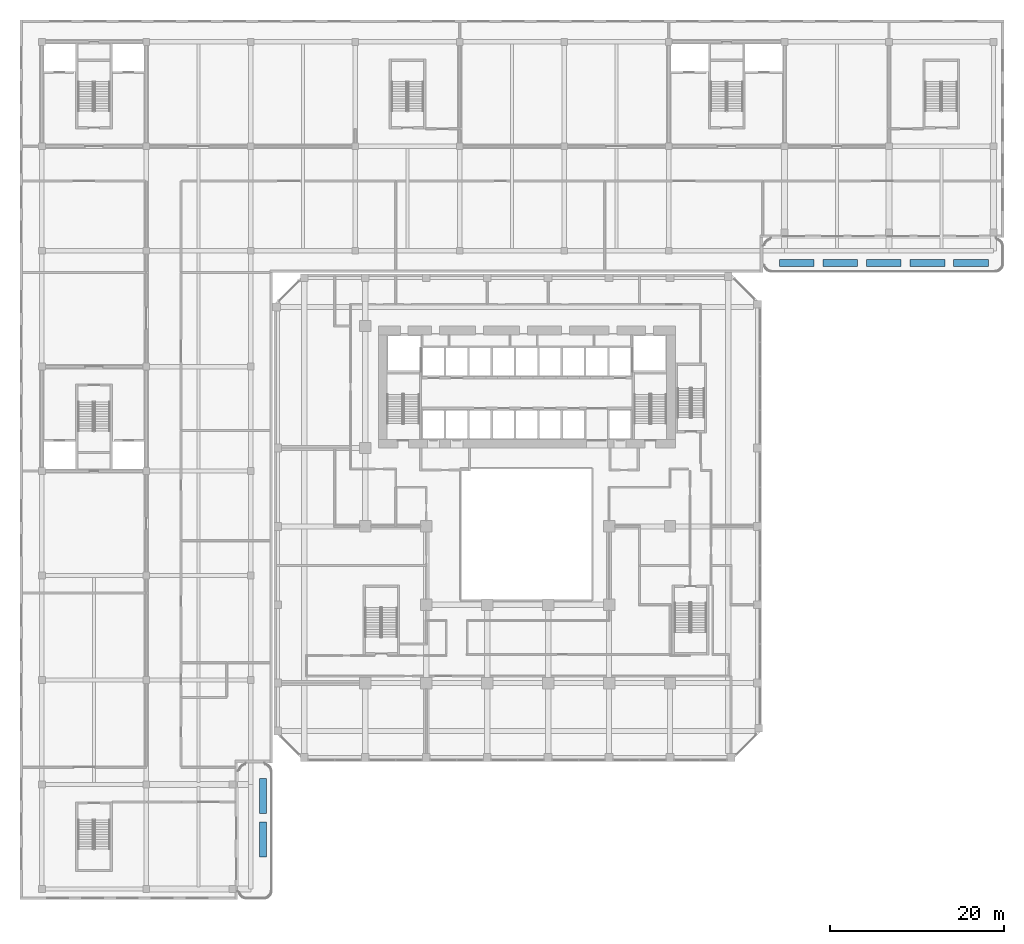
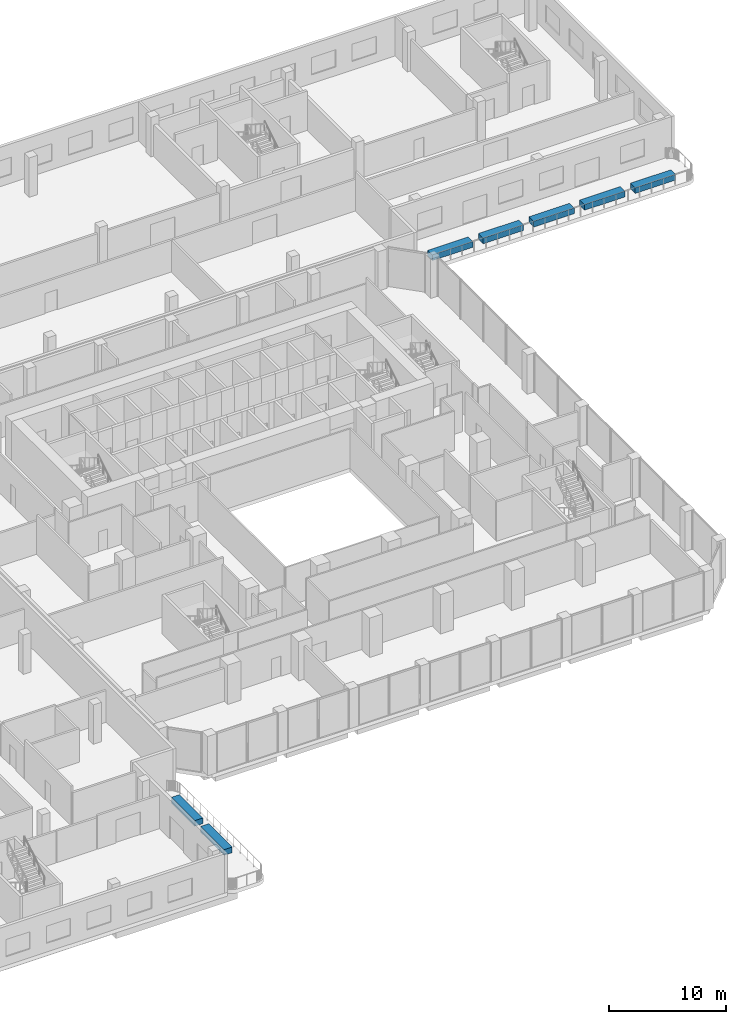
# One storey, part 26 of 35: 7 discrete accessories.
"""IFC4 building model written with IfcOpenShell, lengths in metres."""

from ifc_helpers import new_model, si_unit, direction, frame, origin, origin_2d, place, context, subcontext, project, spatial, rectangle, extrude, source, transform, mapped, material, layer, layer_set, type_object, element, save


model = new_model("IFC4")

# Units and contexts
model_context = context("Model", 3, precision=1e-05, world=origin(), true_north=direction((0.0, 1.0)))
body_context = subcontext(model_context, "Body", "Model", "MODEL_VIEW")
ifc_project = project(units=[si_unit("LENGTHUNIT", "METRE"), si_unit("AREAUNIT", "SQUARE_METRE"), si_unit("VOLUMEUNIT", "CUBIC_METRE"), si_unit("PLANEANGLEUNIT", "RADIAN"), si_unit("MASSUNIT", "GRAM", prefix="KILO")], contexts=[model_context])

# Site, building, storey
site_placement = place(None, origin())
site = spatial("IfcSite", under=ifc_project, at=site_placement, CompositionType="ELEMENT")
building_placement = place(site_placement, origin())
building = spatial("IfcBuilding", under=site, at=building_placement, Name="Kilnfold Tower and Market Hall", CompositionType="ELEMENT")
storey_placement = place(building_placement, frame((0.0, 0.0, 13.5)))
storey = spatial("IfcBuildingStorey", under=building, at=storey_placement, Name="L02", CompositionType="ELEMENT", Elevation=13.5)

# Discrete accessories
ifc_material = material(Name="Concrete C40/50", Category="concrete")
ifc_layer = layer(ifc_material, 0.800048828125)
ifc_layer_set = layer_set([ifc_layer], Name="Concrete C40/50")
discrete_accessory_type = type_object("IfcDiscreteAccessoryType", Name="PLANTER 800X600", PredefinedType="USERDEFINED", material=ifc_layer_set)
shared_shape = source(origin(), body_context, "Body", "SweptSolid", [
    extrude(rectangle(XDim=4.0, YDim=0.800048828125, at=origin_2d()), origin(), (0.0, 0.0, 1.0), 0.60009765625),
])
for number, where, z_axis, x_axis, name in (
    (1, (-29.25, -31.963623046875, 0.0), (0.0, 0.0, 1.0), (0.0, -1.0, 0.0), "Planter"),
    (2, (-29.25, -36.963623046875, 0.0), (0.0, 0.0, 1.0), (0.0, -1.0, 0.0), "Planter"),
    (3, (52.04638671875, 29.25, 0.0), (0.0, 0.0, 1.0), (-1.0, 0.0, 0.0), "Planter"),
    (4, (47.04638671875, 29.25, 0.0), (0.0, 0.0, 1.0), (-1.0, 0.0, 0.0), "Planter"),
    (5, (42.04638671875, 29.25, 0.0), (0.0, 0.0, 1.0), (-1.0, 0.0, 0.0), "Planter"),
    (6, (37.04638671875, 29.25, 0.0), (0.0, 0.0, 1.0), (-1.0, 0.0, 0.0), "Planter"),
    (7, (32.04638671875, 29.25, 0.0), (0.0, 0.0, 1.0), (-1.0, 0.0, 0.0), "Planter"),
):
    element("IfcDiscreteAccessory", number, at=place(storey_placement, frame(where, z_axis=z_axis, x_axis=x_axis)), inside=storey, type_object=discrete_accessory_type, Name=name, ObjectType="PLANTER", PredefinedType="USERDEFINED", context=body_context, shape_type="MappedRepresentation", body=[
        mapped(shared_shape, transform((0.0, 0.0, 0.0))),
    ])

save(model, "model.ifc")
